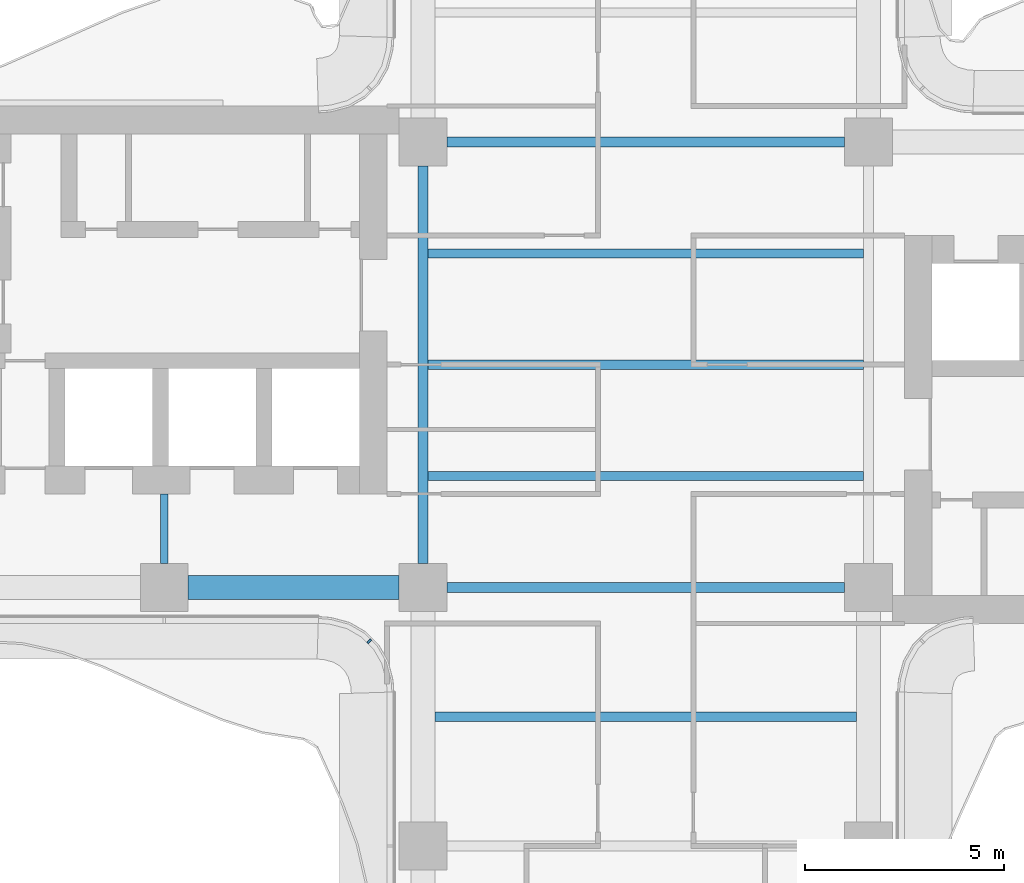
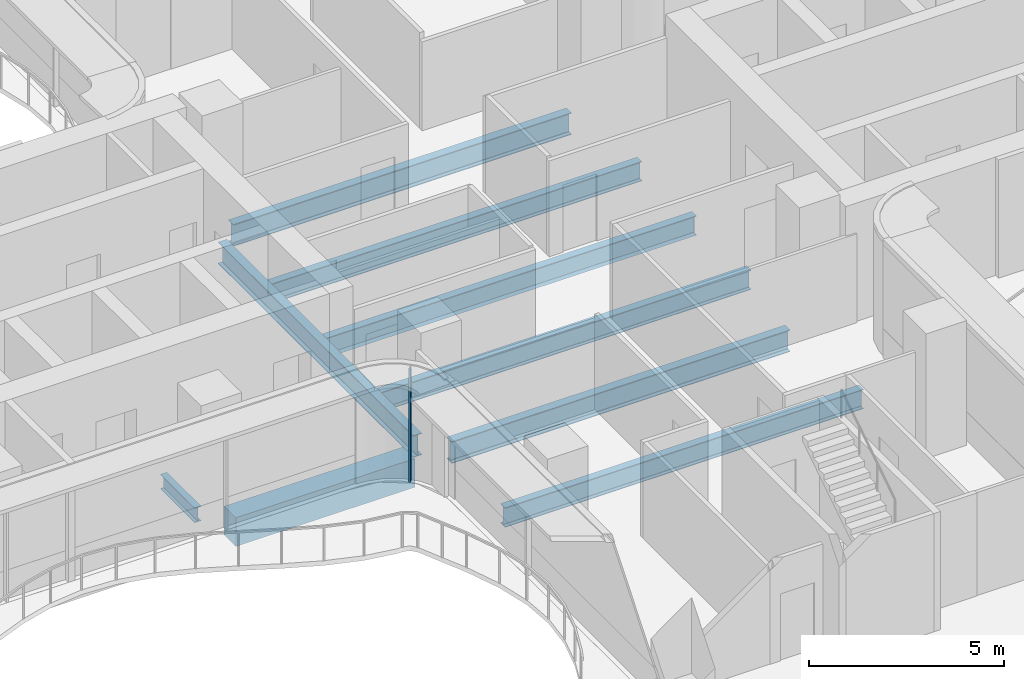
# One storey, part 4 of 18: 9 beams, 1 member, 1 element without a shape of its own.
"""IFC4 building model written with IfcOpenShell, lengths in metres."""

from ifc_helpers import new_model, si_unit, direction, frame, origin, origin_2d, place, context, subcontext, project, spatial, rectangle, i_section, extrude, source, transform, mapped, material, layer, layer_set, material_profile, profile_set, type_object, element, aggregate, save


model = new_model("IFC4")

# Units and contexts
model_context = context("Model", 3, precision=1e-05, world=origin(), true_north=direction((0.0, 1.0)))
body_context = subcontext(model_context, "Body", "Model", "MODEL_VIEW")
ifc_project = project(units=[si_unit("LENGTHUNIT", "METRE"), si_unit("AREAUNIT", "SQUARE_METRE"), si_unit("VOLUMEUNIT", "CUBIC_METRE"), si_unit("PLANEANGLEUNIT", "RADIAN"), si_unit("MASSUNIT", "GRAM", prefix="KILO")], contexts=[model_context])

# Site, building, storey
site_placement = place(None, origin())
site = spatial("IfcSite", under=ifc_project, at=site_placement, CompositionType="ELEMENT")
building_placement = place(site_placement, origin())
building = spatial("IfcBuilding", under=site, at=building_placement, Name="Trellis Farm Tower", CompositionType="ELEMENT")
storey_placement = place(building_placement, frame((0.0, 0.0, 204.89990234375)))
storey = spatial("IfcBuildingStorey", under=building, at=storey_placement, Name="L45", CompositionType="ELEMENT", Elevation=204.89990234375)

# Beams
ifc_material_1 = material(Name="Concrete C60/75", Category="concrete")
ifc_material_profile_1 = material_profile(ifc_material_1, rectangle(XDim=0.60009765625, YDim=0.89990234375, at=origin_2d()), Name="RC spandrel beam 600x900 C60/75")
ifc_profile_set_1 = profile_set([ifc_material_profile_1], Name="Concrete C60/75")
beam_type_1 = type_object("IfcBeamType", Name="RC spandrel beam 600x900 C60/75", PredefinedType="SPANDREL", material=ifc_profile_set_1)
shared_shape_1 = source(origin(), body_context, "Body", "SweptSolid", [
    extrude(rectangle(XDim=0.60009765625, YDim=0.89990234375, at=origin_2d()), origin(), (0.0, 0.0, 1.0), 5.300048828125),
])
beam_1_placement = place(storey_placement, frame((-11.5, -5.60009765625, -0.64990234375), z_axis=(1.0, 0.0, 0.0), x_axis=(0.0, 1.0, 0.0)))
element("IfcBeam", 1, at=beam_1_placement, inside=storey, type_object=beam_type_1, Name="Girder", PredefinedType="SPANDREL", context=body_context, shape_type="MappedRepresentation", body=[
    mapped(shared_shape_1, transform((0.0, 0.0, 0.0))),
])
ifc_material_2 = material(Name="Steel S355", Category="steel")
ifc_material_profile_2 = material_profile(ifc_material_2, i_section(OverallWidth=0.253662109375, OverallDepth=0.68359375, WebThickness=0.012451171875, FlangeThickness=0.021728515625, FilletRadius=0.01513671875, at=origin_2d()), Name="UB 686x254x140")
ifc_profile_set_2 = profile_set([ifc_material_profile_2], Name="Steel S355")
beam_type_2 = type_object("IfcBeamType", Name="UB 686x254x140", PredefinedType="BEAM", material=ifc_profile_set_2)
shared_shape_2 = source(origin(), body_context, "Body", "SweptSolid", [
    extrude(i_section(OverallWidth=0.253662109375, OverallDepth=0.68359375, WebThickness=0.012451171875, FlangeThickness=0.021728515625, FilletRadius=0.01513671875, at=origin_2d()), origin(), (0.0, 0.0, 1.0), 10.0),
])
for number, where, z_axis, x_axis, name in (
    (2, (-5.0, -5.60009765625, -0.54150390625), (1.0, 0.0, 0.0), (0.0, 1.0, 0.0), "Girder"),
    (3, (-5.0, 5.60009765625, -0.54150390625), (1.0, 0.0, 0.0), (0.0, 1.0, 0.0), "Girder"),
    (4, (-5.60009765625, -5.0, -0.54150390625), (0.0, 1.0, 0.0), (-1.0, 0.0, 0.0), "Girder"),
):
    element("IfcBeam", number, at=place(storey_placement, frame(where, z_axis=z_axis, x_axis=x_axis)), inside=storey, type_object=beam_type_2, Name=name, PredefinedType="BEAM", context=body_context, shape_type="MappedRepresentation", body=[
        mapped(shared_shape_2, transform((0.0, 0.0, 0.0))),
    ])
ifc_material_profile_3 = material_profile(ifc_material_2, i_section(OverallWidth=0.1904296875, OverallDepth=0.45703125, WebThickness=0.009033203125, FlangeThickness=0.014404296875, FilletRadius=0.01025390625, at=origin_2d()), Name="UB 457x191x74")
ifc_profile_set_3 = profile_set([ifc_material_profile_3], Name="Steel S355")
beam_type_3 = type_object("IfcBeamType", Name="UB 457x191x74", PredefinedType="BEAM", material=ifc_profile_set_3)
shared_shape_3 = source(origin(), body_context, "Body", "SweptSolid", [
    extrude(i_section(OverallWidth=0.1904296875, OverallDepth=0.45703125, WebThickness=0.009033203125, FlangeThickness=0.014404296875, FilletRadius=0.01025390625, at=origin_2d()), origin(), (0.0, 0.0, 1.0), 1.75),
])
beam_2_placement = place(storey_placement, frame((-12.10009765625, -5.0, -0.428466796875), z_axis=(0.0, 1.0, 0.0), x_axis=(-1.0, 0.0, 0.0)))
element("IfcBeam", 5, at=beam_2_placement, inside=storey, type_object=beam_type_3, Name="Girder", PredefinedType="BEAM", context=body_context, shape_type="MappedRepresentation", body=[
    mapped(shared_shape_3, transform((0.0, 0.0, 0.0))),
])
ifc_material_profile_4 = material_profile(ifc_material_2, i_section(OverallWidth=0.22900390625, OverallDepth=0.6123046875, WebThickness=0.011962890625, FlangeThickness=0.01953125, FilletRadius=0.0126953125, at=origin_2d()), Name="UB 610x229x125")
ifc_profile_set_4 = profile_set([ifc_material_profile_4], Name="Steel S355")
beam_type_4 = type_object("IfcBeamType", Name="UB 610x229x125 joist", PredefinedType="JOIST", material=ifc_profile_set_4)
shared_shape_4 = source(origin(), body_context, "Body", "SweptSolid", [
    extrude(i_section(OverallWidth=0.22900390625, OverallDepth=0.6123046875, WebThickness=0.011962890625, FlangeThickness=0.01953125, FilletRadius=0.0126953125, at=origin_2d()), origin(), (0.0, 0.0, 1.0), 10.9462890625),
])
for number, where, z_axis, x_axis, name in (
    (6, (-5.47314453125, -2.800048828125, -0.506103515625), (1.0, 0.0, 0.0), (0.0, 1.0, 0.0), "Floor beam"),
    (7, (-5.47314453125, 0.0, -0.506103515625), (1.0, 0.0, 0.0), (0.0, 1.0, 0.0), "Floor beam"),
    (8, (-5.47314453125, 2.800048828125, -0.506103515625), (1.0, 0.0, 0.0), (0.0, 1.0, 0.0), "Floor beam"),
):
    element("IfcBeam", number, at=place(storey_placement, frame(where, z_axis=z_axis, x_axis=x_axis)), inside=storey, type_object=beam_type_4, Name=name, PredefinedType="JOIST", context=body_context, shape_type="MappedRepresentation", body=[
        mapped(shared_shape_4, transform((0.0, 0.0, 0.0))),
    ])
shared_shape_5 = source(origin(), body_context, "Body", "SweptSolid", [
    extrude(i_section(OverallWidth=0.22900390625, OverallDepth=0.6123046875, WebThickness=0.011962890625, FlangeThickness=0.01953125, FilletRadius=0.0126953125, at=origin_2d()), origin(), (0.0, 0.0, 1.0), 10.60009765625),
])
beam_3_placement = place(storey_placement, frame((-5.300048828125, -8.85009765625, -0.506103515625), z_axis=(1.0, 0.0, 0.0), x_axis=(0.0, 1.0, 0.0)))
element("IfcBeam", 9, at=beam_3_placement, inside=storey, type_object=beam_type_4, Name="Floor beam", PredefinedType="JOIST", context=body_context, shape_type="MappedRepresentation", body=[
    mapped(shared_shape_5, transform((0.0, 0.0, 0.0))),
])

# Curtain wall, member
ifc_material_3 = material(Name="Aluminium and glass curtain wall", Category="aluminium")
ifc_layer = layer(ifc_material_3, 0.166015625)
ifc_layer_set = layer_set([ifc_layer], Name="WINTER GARDEN CURTAIN WALL CW3")
curtain_wall_type = type_object("IfcCurtainWallType", Name="WINTER GARDEN CURTAIN WALL CW3", PredefinedType="NOTDEFINED", material=ifc_layer_set)
curtain_wall_placement = place(storey_placement, origin())
curtain_wall = element("IfcCurtainWall", 10, at=curtain_wall_placement, inside=storey, type_object=curtain_wall_type, Name="CW3 001", PredefinedType="NOTDEFINED")
ifc_material_4 = material(Name="Aluminium extrusion 6063-T6", Category="aluminium")
ifc_material_profile_5 = material_profile(ifc_material_4, rectangle(XDim=0.050048828125, YDim=0.1201171875, at=origin_2d()), Name="MULLION 50x120")
ifc_profile_set_5 = profile_set([ifc_material_profile_5], Name="Aluminium extrusion 6063-T6")
member_type = type_object("IfcMemberType", Name="CW3 MULLION 50x120", PredefinedType="MULLION", material=ifc_profile_set_5)
shared_shape_6 = source(origin(), body_context, "Body", "SweptSolid", [
    extrude(rectangle(XDim=0.050048828125, YDim=0.1201171875, at=origin_2d()), origin(), (0.0, 0.0, 1.0), 3.550048828125),
])
member_placement = place(storey_placement, frame((-6.953125, -6.953125, 0.0), z_axis=(0.0, 0.0, 1.0), x_axis=(0.707106781187, -0.707106781187, 0.0)))
member = element("IfcMember", 11, at=member_placement, type_object=member_type, Name="MU3 001-01", PredefinedType="MULLION", context=body_context, shape_type="MappedRepresentation", body=[
    mapped(shared_shape_6, transform((0.0, 0.0, 0.0))),
])
aggregate(curtain_wall, [member])

save(model, "model.ifc")
